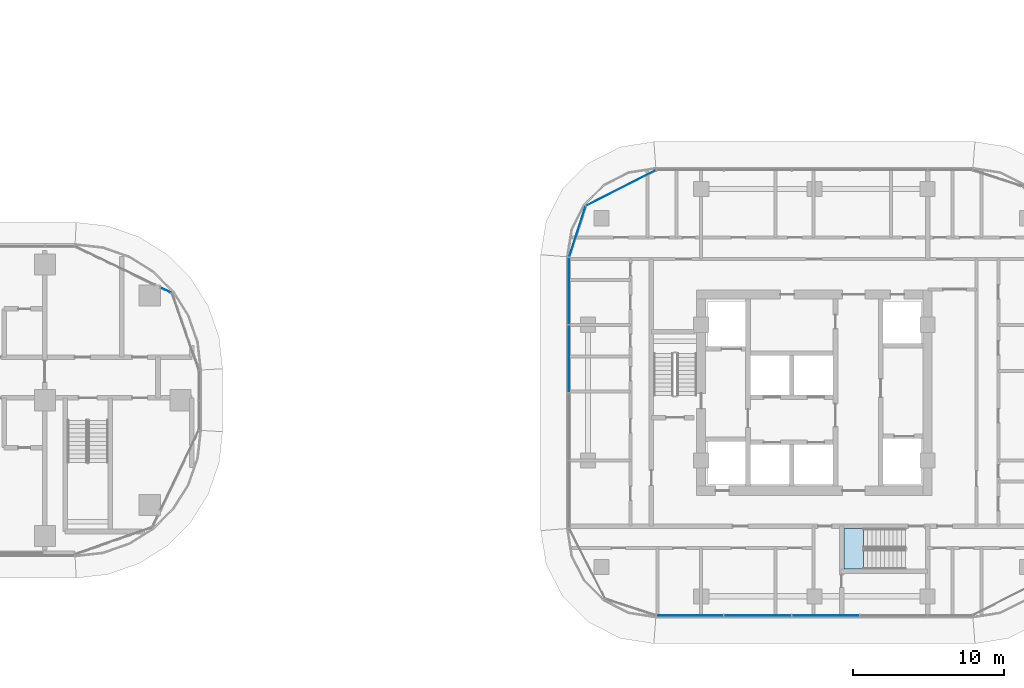
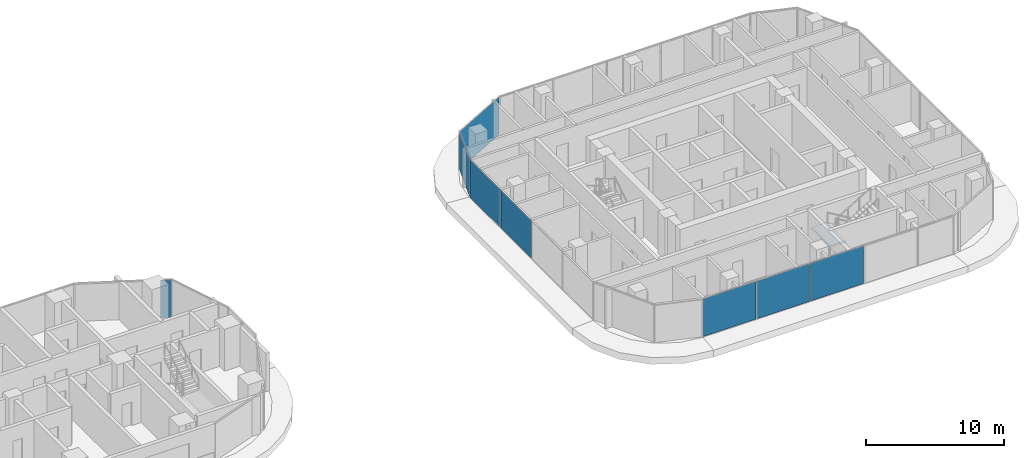
# One storey, part 17 of 39: 8 plates, 1 slab, 5 elements without a shape of their own.
"""IFC4 building model written with IfcOpenShell, lengths in metres."""

import ifcopenshell
import ifcopenshell.guid

model = None  # the IFC model being written
_history = None  # IfcOwnerHistory: only IFC2X3 demands one
_inside = {}  # id of a spatial element -> (the spatial element, [elements in it])
_under = {}  # id of a project, library or spatial element -> (it, [spatial elements below it])
_declared = {}  # id of a project -> (the project, [libraries it declares])
_typed = {}  # id of a type object -> (the type object, [elements of that type])
_made_of = {}  # id of a material, layer set ... -> (it, [elements and type objects made of it])


def new_model(schema):
    """Start an empty IFC model of exactly this schema.

    Asked for "IFC4X3", IfcOpenShell would pick the latest addendum, in which some entities
    have other attributes; the version numbers below select the first issue.
    IFC2X3 requires an IfcOwnerHistory on every rooted entity: one is made here for all.
    """
    global model, _history
    if schema == "IFC4X3":
        model = ifcopenshell.file(schema_version=(4, 3, 0, 0))
    else:
        model = ifcopenshell.file(schema=schema)
    _inside.clear()
    _under.clear()
    _declared.clear()
    _typed.clear()
    _made_of.clear()
    _history = None
    if model.schema == "IFC2X3":
        org = make("IfcOrganization", Name="unknown")
        user = make(
            "IfcPersonAndOrganization",
            ThePerson=make("IfcPerson", FamilyName="unknown"),
            TheOrganization=org,
        )
        app = make(
            "IfcApplication",
            ApplicationDeveloper=org,
            Version="unknown",
            ApplicationFullName="unknown",
            ApplicationIdentifier="unknown",
        )
        _history = make(
            "IfcOwnerHistory",
            OwningUser=user,
            OwningApplication=app,
            ChangeAction="ADDED",
            CreationDate=0,
        )
    return model


def make(cls, **values):
    """One entity of the class cls with the attributes given. An attribute that is None is left unset."""
    return model.create_entity(
        cls, **{name: value for name, value in values.items() if value is not None}
    )


def rooted(cls, **values):
    """An entity with a GlobalId (a new one), such as an element, a storey or a relation."""
    return make(cls, GlobalId=ifcopenshell.guid.new(), OwnerHistory=_history, **values)


def si_unit(unit_type, name, prefix=None):
    """IfcSIUnit, for example si_unit("LENGTHUNIT", "METRE", prefix="MILLI")."""
    return make("IfcSIUnit", UnitType=unit_type, Prefix=prefix, Name=name)


def assignment(units):
    """IfcUnitAssignment: the units of a project."""
    return None if units is None else make("IfcUnitAssignment", Units=units)


def point(xyz):
    """IfcCartesianPoint."""
    return None if xyz is None else make("IfcCartesianPoint", Coordinates=xyz)


def direction(xyz):
    """IfcDirection."""
    return None if xyz is None else make("IfcDirection", DirectionRatios=xyz)


def frame(location, z_axis=None, x_axis=None):
    """IfcAxis2Placement3D, a coordinate frame: its origin and axes. An axis left out is left unset."""
    return make(
        "IfcAxis2Placement3D",
        Location=point(location),
        Axis=direction(z_axis),
        RefDirection=direction(x_axis),
    )


def frame_2d(location, x_axis=None):
    """IfcAxis2Placement2D, a coordinate frame in the plane: its origin and x axis."""
    return make(
        "IfcAxis2Placement2D", Location=point(location), RefDirection=direction(x_axis)
    )


def origin():
    """The frame at (0, 0, 0) with its axes left unset."""
    return frame((0.0, 0.0, 0.0))


def origin_2d():
    """The frame at (0, 0) in the plane with its x axis left unset."""
    return frame_2d((0.0, 0.0))


def place(relative_to, where):
    """IfcLocalPlacement: puts the frame where relative to a parent placement (None: the world)."""
    return make(
        "IfcLocalPlacement", PlacementRelTo=relative_to, RelativePlacement=where
    )


def context(
    kind, dimensions, precision=None, world=None, true_north=None, identifier=None
):
    """IfcGeometricRepresentationContext, for example the 3D "Model" context."""
    return make(
        "IfcGeometricRepresentationContext",
        ContextIdentifier=identifier,
        ContextType=kind,
        CoordinateSpaceDimension=dimensions,
        Precision=precision,
        WorldCoordinateSystem=world,
        TrueNorth=true_north,
    )


def subcontext(parent, identifier, kind, view, scale=None):
    """IfcGeometricRepresentationSubContext, for example "Body" below "Model"."""
    return make(
        "IfcGeometricRepresentationSubContext",
        ContextIdentifier=identifier,
        ContextType=kind,
        ParentContext=parent,
        TargetScale=scale,
        TargetView=view,
    )


def project(units=None, contexts=None):
    """IfcProject with its units and contexts."""
    return rooted(
        "IfcProject",
        Name="project",
        RepresentationContexts=contexts,
        UnitsInContext=assignment(units),
    )


def spatial(cls, under=None, at=None, **own):
    """A site, building, storey or space (cls), placed at a placement, below another one or the project."""
    s = rooted(cls, ObjectPlacement=at, **own)
    if under is not None:
        _under.setdefault(under.id(), (under, []))[1].append(s)
    return s


def polyline(points):
    """IfcPolyline through the points."""
    return make("IfcPolyline", Points=[point(p) for p in points])


def profile(cls, at=None, kind="AREA", **sizes):
    """A parametric profile (cls). Its sizes go by their IFC names, for example OverallWidth=200.0."""
    return make(cls, ProfileType=kind, Position=at, **sizes)


def rectangle(**sizes):
    """IfcRectangleProfileDef."""
    return profile("IfcRectangleProfileDef", **sizes)


def outline(outer, holes=None, kind="AREA"):
    """IfcArbitraryClosedProfileDef: a profile drawn as a closed curve; with holes, ...WithVoids."""
    if holes is None:
        return make("IfcArbitraryClosedProfileDef", ProfileType=kind, OuterCurve=outer)
    return make(
        "IfcArbitraryProfileDefWithVoids",
        ProfileType=kind,
        OuterCurve=outer,
        InnerCurves=holes,
    )


def extrude(swept, where, along, depth):
    """IfcExtrudedAreaSolid: the profile swept, set in the frame where, extruded along a direction by depth."""
    return make(
        "IfcExtrudedAreaSolid",
        SweptArea=swept,
        Position=where,
        ExtrudedDirection=direction(along),
        Depth=depth,
    )


def shape(context_of_items, identifier, shape_type, items):
    """IfcShapeRepresentation: the items that make up one representation, for example the "Body"."""
    return make(
        "IfcShapeRepresentation",
        ContextOfItems=context_of_items,
        RepresentationIdentifier=identifier,
        RepresentationType=shape_type,
        Items=items,
    )


def material(Name=None, Category=None):
    """IfcMaterial."""
    return make("IfcMaterial", Name=Name, Category=Category)


def layer(
    of_material, thickness, ventilated=None, Name=None, Category=None, Priority=None
):
    """IfcMaterialLayer: one layer of a wall or slab, of a material (None: an air gap)."""
    return make(
        "IfcMaterialLayer",
        Material=of_material,
        LayerThickness=thickness,
        IsVentilated=ventilated,
        Name=Name,
        Category=Category,
        Priority=Priority,
    )


def layer_set(layers, Name=None):
    """IfcMaterialLayerSet."""
    return make("IfcMaterialLayerSet", MaterialLayers=layers, LayerSetName=Name)


def made_of(thing, what):
    """Note that an element or type object is made of a material, layer set ...; save() writes the relation."""
    if what is not None:
        _made_of.setdefault(what.id(), (what, []))[1].append(thing)
    return thing


def type_object(cls, material=None, **own):
    """A type object (cls), such as IfcWallType, which elements share."""
    return made_of(rooted(cls, **own), material)


def element(
    cls,
    number,
    at=None,
    inside=None,
    cuts=None,
    type_object=None,
    material=None,
    context=None,
    identifier="Body",
    shape_type=None,
    held_by="IfcProductDefinitionShape",
    body=None,
    shapes=None,
    **own,
):
    """One element of the class cls, such as IfcWall. Its Tag is "e" and its number.

    at: its placement. inside: the storey or other place that contains it. cuts: it is an
    opening in that element (IfcRelVoidsElement). A single representation is given by context,
    identifier, shape_type and body (its items); several are given by shapes. held_by: the class
    of the entity that holds the representations. save() writes the other relations.
    """
    e = rooted(cls, Tag="e%d" % number, ObjectPlacement=at, **own)
    if body is not None:
        shapes = [shape(context, identifier, shape_type, body)]
    if shapes is not None:
        e.Representation = make(held_by, Representations=shapes)
    if inside is not None:
        _inside.setdefault(inside.id(), (inside, []))[1].append(e)
    if cuts is not None:
        rooted(
            "IfcRelVoidsElement", RelatingBuildingElement=cuts, RelatedOpeningElement=e
        )
    if type_object is not None:
        _typed.setdefault(type_object.id(), (type_object, []))[1].append(e)
    return made_of(e, material)


def aggregate(whole, parts):
    """IfcRelAggregates: a whole, such as a stair, and the parts it consists of."""
    return rooted("IfcRelAggregates", RelatingObject=whole, RelatedObjects=parts)


def save(model, path):
    """Write the relations noted so far, then the file.

    IfcRelAggregates (storeys below a building ...), IfcRelContainedInSpatialStructure (elements
    in a storey), IfcRelDefinesByType, IfcRelAssociatesMaterial and IfcRelDeclares: one each for
    every whole, place, type object, material and project.
    """
    for whole, parts in _under.values():
        aggregate(whole, parts)
    for where, things in _inside.values():
        rooted(
            "IfcRelContainedInSpatialStructure",
            RelatedElements=things,
            RelatingStructure=where,
        )
    for kind, things in _typed.values():
        rooted("IfcRelDefinesByType", RelatedObjects=things, RelatingType=kind)
    for what, things in _made_of.values():
        rooted("IfcRelAssociatesMaterial", RelatedObjects=things, RelatingMaterial=what)
    for by, libraries in _declared.values():
        rooted("IfcRelDeclares", RelatingContext=by, RelatedDefinitions=libraries)
    model.write(path)


model = new_model("IFC4")

# Units and contexts
model_context = context("Model", 3, precision=1e-05, world=origin(), true_north=direction((0.0, 1.0)))
body_context = subcontext(model_context, "Body", "Model", "MODEL_VIEW")
ifc_project = project(units=[si_unit("LENGTHUNIT", "METRE"), si_unit("AREAUNIT", "SQUARE_METRE"), si_unit("VOLUMEUNIT", "CUBIC_METRE"), si_unit("PLANEANGLEUNIT", "RADIAN"), si_unit("MASSUNIT", "GRAM", prefix="KILO")], contexts=[model_context])

# Site, building, storey
site_placement = place(None, origin())
site = spatial("IfcSite", under=ifc_project, at=site_placement, CompositionType="ELEMENT")
building_placement = place(site_placement, origin())
building = spatial("IfcBuilding", under=site, at=building_placement, Name="Ogive Portal Towers", CompositionType="ELEMENT")
storey_placement = place(building_placement, frame((0.0, 0.0, 44.60009765625)))
storey = spatial("IfcBuildingStorey", under=building, at=storey_placement, Name="L09", CompositionType="ELEMENT", Elevation=44.60009765625)

# Curtain wall, plate
ifc_material_1 = material(Name="Glass, clear low-iron insulated glazing", Category="glass")
curtain_wall_type_1 = type_object("IfcCurtainWallType", Name="CW FRONT RIBBON 4500", PredefinedType="NOTDEFINED", material=ifc_material_1)
curtain_wall_1_placement = place(storey_placement, origin())
curtain_wall_1 = element("IfcCurtainWall", 1, at=curtain_wall_1_placement, inside=storey, type_object=curtain_wall_type_1, Name="A:L09:f09:cwa~0", PredefinedType="NOTDEFINED")
ifc_layer_1 = layer(ifc_material_1, 0.028076171875)
ifc_layer_set_1 = layer_set([ifc_layer_1], Name="CW PANEL IGU 28")
plate_type = type_object("IfcPlateType", Name="CW PANEL IGU 28", PredefinedType="CURTAIN_PANEL", material=ifc_layer_set_1)
plate_1_placement = place(storey_placement, frame((93.531494140625, 37.79150390625, 0.0), z_axis=(0.0, 0.0, 1.0), x_axis=(-0.900968867905, 0.433883739113, 0.0)))
plate_1 = element("IfcPlate", 2, at=plate_1_placement, type_object=plate_type, Name="panel", PredefinedType="CURTAIN_PANEL", context=body_context, shape_type="SweptSolid", body=[
    extrude(rectangle(XDim=0.786865234375, YDim=0.028076171875, at=origin_2d()), origin(), (0.0, 0.0, 1.0), 3.340087890625),
])
aggregate(curtain_wall_1, [plate_1])

# Curtain wall, plates
curtain_wall_type_2 = type_object("IfcCurtainWallType", Name="CW RESIDENCES RIBBON", PredefinedType="NOTDEFINED", material=ifc_material_1)
curtain_wall_2_placement = place(storey_placement, origin())
curtain_wall_2 = element("IfcCurtainWall", 3, at=curtain_wall_2_placement, inside=storey, type_object=curtain_wall_type_2, Name="B:L09:f02:cw0", PredefinedType="NOTDEFINED")
plate_2_placement = place(storey_placement, frame((128.25634765625, 16.2451171875, 0.0), z_axis=(0.0, 0.0, 1.0), x_axis=(1.0, 0.0, 0.0)))
plate_2 = element("IfcPlate", 4, at=plate_2_placement, type_object=plate_type, Name="panel", PredefinedType="CURTAIN_PANEL", context=body_context, shape_type="SweptSolid", body=[
    extrude(rectangle(XDim=4.42724609375, YDim=0.028076171875, at=origin_2d()), origin(), (0.0, 0.0, 1.0), 3.340087890625),
])
plate_3_placement = place(storey_placement, frame((132.75, 16.2451171875, 0.0), z_axis=(0.0, 0.0, 1.0), x_axis=(1.0, 0.0, 0.0)))
plate_3 = element("IfcPlate", 5, at=plate_3_placement, type_object=plate_type, Name="panel", PredefinedType="CURTAIN_PANEL", context=body_context, shape_type="SweptSolid", body=[
    extrude(rectangle(XDim=4.43994140625, YDim=0.028076171875, at=origin_2d()), origin(), (0.0, 0.0, 1.0), 3.340087890625),
])
plate_4_placement = place(storey_placement, frame((137.25, 16.2451171875, 0.0), z_axis=(0.0, 0.0, 1.0), x_axis=(1.0, 0.0, 0.0)))
plate_4 = element("IfcPlate", 6, at=plate_4_placement, type_object=plate_type, Name="panel", PredefinedType="CURTAIN_PANEL", context=body_context, shape_type="SweptSolid", body=[
    extrude(rectangle(XDim=4.43994140625, YDim=0.028076171875, at=origin_2d()), origin(), (0.0, 0.0, 1.0), 3.340087890625),
])
aggregate(curtain_wall_2, [plate_2, plate_3, plate_4])

curtain_wall_3_placement = place(storey_placement, origin())
curtain_wall_3 = element("IfcCurtainWall", 7, at=curtain_wall_3_placement, inside=storey, type_object=curtain_wall_type_2, Name="B:L09:f11:cw0", PredefinedType="NOTDEFINED")
plate_5_placement = place(storey_placement, frame((120.2451171875, 37.74365234375, 0.0), z_axis=(0.0, 0.0, 1.0), x_axis=(0.0, -1.0, 0.0)))
plate_5 = element("IfcPlate", 8, at=plate_5_placement, type_object=plate_type, Name="panel", PredefinedType="CURTAIN_PANEL", context=body_context, shape_type="SweptSolid", body=[
    extrude(rectangle(XDim=4.42724609375, YDim=0.028076171875, at=origin_2d()), origin(), (0.0, 0.0, 1.0), 3.340087890625),
])
plate_6_placement = place(storey_placement, frame((120.2451171875, 33.25, 0.0), z_axis=(0.0, 0.0, 1.0), x_axis=(0.0, -1.0, 0.0)))
plate_6 = element("IfcPlate", 9, at=plate_6_placement, type_object=plate_type, Name="panel", PredefinedType="CURTAIN_PANEL", context=body_context, shape_type="SweptSolid", body=[
    extrude(rectangle(XDim=4.43994140625, YDim=0.028076171875, at=origin_2d()), origin(), (0.0, 0.0, 1.0), 3.340087890625),
])
aggregate(curtain_wall_3, [plate_5, plate_6])

curtain_wall_4_placement = place(storey_placement, origin())
curtain_wall_4 = element("IfcCurtainWall", 10, at=curtain_wall_4_placement, inside=storey, type_object=curtain_wall_type_2, Name="B:L09:f09:cwa", PredefinedType="NOTDEFINED")
plate_7_placement = place(storey_placement, frame((123.68212890625, 44.564208984375, 0.0), z_axis=(0.0, 0.0, 1.0), x_axis=(-0.891006524188, -0.45399049974, 0.0)))
plate_7 = element("IfcPlate", 11, at=plate_7_placement, type_object=plate_type, Name="panel", PredefinedType="CURTAIN_PANEL", context=body_context, shape_type="SweptSolid", body=[
    extrude(rectangle(XDim=5.185791015625, YDim=0.028076171875, at=origin_2d()), origin(), (0.0, 0.0, 1.0), 3.340087890625),
])
plate_8_placement = place(storey_placement, frame((120.795166015625, 41.680419921875, 0.0), z_axis=(0.0, 0.0, 1.0), x_axis=(-0.309016994375, -0.951056516295, 0.0)))
plate_8 = element("IfcPlate", 12, at=plate_8_placement, type_object=plate_type, Name="panel", PredefinedType="CURTAIN_PANEL", context=body_context, shape_type="SweptSolid", body=[
    extrude(rectangle(XDim=3.50048828125, YDim=0.028076171875, at=origin_2d()), origin(), (0.0, 0.0, 1.0), 3.340087890625),
])
aggregate(curtain_wall_4, [plate_7, plate_8])

# Stair, slab
ifc_material_2 = material(Name="Concrete C40/50", Category="concrete")
stair_type = type_object("IfcStairType", Name="INT-STAIR", PredefinedType="HALF_TURN_STAIR", material=ifc_material_2)
stair_placement = place(storey_placement, origin())
stair = element("IfcStair", 13, at=stair_placement, inside=storey, type_object=stair_type, Name="L09 Exit Stair ST-B2", PredefinedType="HALF_TURN_STAIR")
ifc_layer_2 = layer(ifc_material_2, 0.199951171875)
ifc_layer_set_2 = layer_set([ifc_layer_2], Name="INT-LANDING")
slab_type = type_object("IfcSlabType", Name="INT-LANDING", PredefinedType="LANDING", material=ifc_layer_set_2)
slab_placement = place(storey_placement, frame((0.0, 0.0, 1.64990234375)))
slab = element("IfcSlab", 14, at=slab_placement, type_object=slab_type, Name="ST-B2 landing 1", PredefinedType="LANDING", context=body_context, shape_type="SweptSolid", body=[
    extrude(outline(polyline([(139.75, 22.0), (138.449951171875, 22.0), (138.449951171875, 19.300048828125), (139.75, 19.300048828125), (139.75, 22.0)])), origin(), (0.0, 0.0, 1.0), 0.199951171875),
])
aggregate(stair, [slab])

save(model, "model.ifc")
